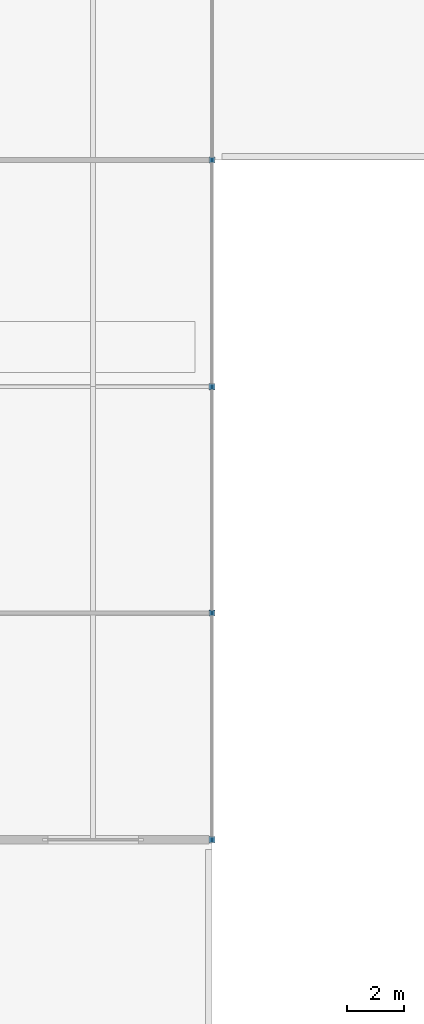
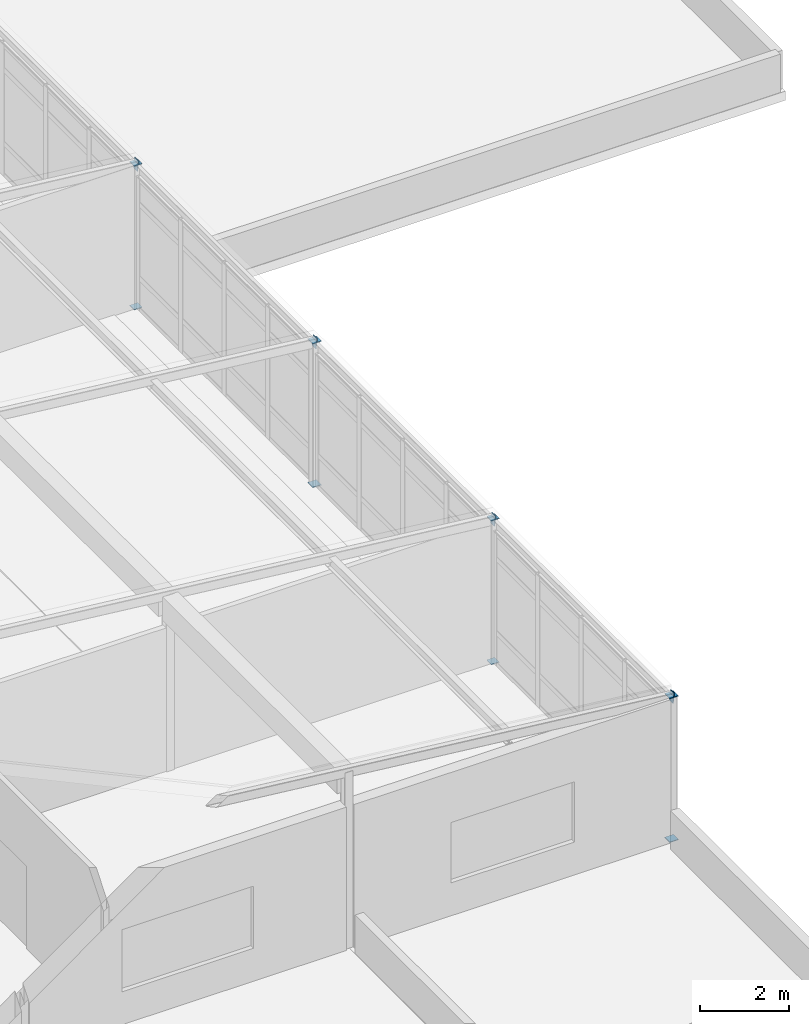
# One storey, part 22 of 25: 12 discrete accessories.
"""IFC4 building model written with IfcOpenShell, lengths in metres."""

from ifc_helpers import new_model, si_unit, direction, frame, origin, origin_2d, place, context, subcontext, project, spatial, rectangle, extrude, material, layer, layer_set, type_object, element, save


model = new_model("IFC4")

# Units and contexts
model_context = context("Model", 3, precision=1e-05, world=origin(), true_north=direction((0.0, 1.0)))
body_context = subcontext(model_context, "Body", "Model", "MODEL_VIEW")
ifc_project = project(units=[si_unit("LENGTHUNIT", "METRE"), si_unit("AREAUNIT", "SQUARE_METRE"), si_unit("VOLUMEUNIT", "CUBIC_METRE"), si_unit("PLANEANGLEUNIT", "RADIAN"), si_unit("MASSUNIT", "GRAM", prefix="KILO")], contexts=[model_context])

# Site, building, storey
site_placement = place(None, origin())
site = spatial("IfcSite", under=ifc_project, at=site_placement, CompositionType="ELEMENT")
building_placement = place(site_placement, origin())
building = spatial("IfcBuilding", under=site, at=building_placement, Name="Kranzveld Transit Interchange", CompositionType="ELEMENT")
storey_placement = place(building_placement, frame((0.0, 0.0, 21.0400390625)))
storey = spatial("IfcBuildingStorey", under=building, at=storey_placement, Name="L05", CompositionType="ELEMENT", Elevation=21.0400390625)

# Discrete accessories
ifc_material = material(Name="Steel S355JR", Category="steel")
ifc_layer = layer(ifc_material, 0.02001953125)
ifc_layer_set = layer_set([ifc_layer], Name="Steel S355JR")
discrete_accessory_type = type_object("IfcDiscreteAccessoryType", Name="Hollow Section End Cap Bracket 20 S355JR", PredefinedType="BRACKET", material=ifc_layer_set)
for number, where, z_axis, x_axis, name in (
    (1, (33.60009765625, 64.0, 0.00390625), (0.0, 0.0, -1.0), (1.0, 0.0, 0.0), "Hollow Section End Cap C-SHS200-1"),
    (2, (33.60009765625, 64.0, 3.916015625), (0.0, 0.0, 1.0), (1.0, 0.0, 0.0), "Hollow Section End Cap C-SHS200-2"),
):
    element("IfcDiscreteAccessory", number, at=place(storey_placement, frame(where, z_axis=z_axis, x_axis=x_axis)), inside=storey, type_object=discrete_accessory_type, Name=name, PredefinedType="BRACKET", context=body_context, shape_type="SweptSolid", body=[
        extrude(rectangle(XDim=0.22412109375, YDim=0.22412109375, at=origin_2d()), origin(), (0.0, 0.0, 1.0), 0.02001953125),
    ])
for number, where, z_axis, x_axis, name in (
    (3, (33.60009765625, 72.0, 0.00390625), (0.0, 0.0, -1.0), (1.0, 0.0, 0.0), "Hollow Section End Cap C-SHS180-1"),
    (4, (33.60009765625, 72.0, 3.916015625), (0.0, 0.0, 1.0), (1.0, 0.0, 0.0), "Hollow Section End Cap C-SHS180-2"),
):
    element("IfcDiscreteAccessory", number, at=place(storey_placement, frame(where, z_axis=z_axis, x_axis=x_axis)), inside=storey, type_object=discrete_accessory_type, Name=name, PredefinedType="BRACKET", context=body_context, shape_type="SweptSolid", body=[
        extrude(rectangle(XDim=0.2041015625, YDim=0.2041015625, at=origin_2d()), origin(), (0.0, 0.0, 1.0), 0.02001953125),
    ])
for number, where, z_axis, x_axis, name in (
    (5, (33.60009765625, 80.0, 0.00390625), (0.0, 0.0, -1.0), (1.0, 0.0, 0.0), "Hollow Section End Cap C-SHS200-1"),
    (6, (33.60009765625, 80.0, 3.916015625), (0.0, 0.0, 1.0), (1.0, 0.0, 0.0), "Hollow Section End Cap C-SHS200-2"),
):
    element("IfcDiscreteAccessory", number, at=place(storey_placement, frame(where, z_axis=z_axis, x_axis=x_axis)), inside=storey, type_object=discrete_accessory_type, Name=name, PredefinedType="BRACKET", context=body_context, shape_type="SweptSolid", body=[
        extrude(rectangle(XDim=0.22412109375, YDim=0.22412109375, at=origin_2d()), origin(), (0.0, 0.0, 1.0), 0.02001953125),
    ])
for number, where, z_axis, x_axis, name in (
    (7, (33.60009765625, 88.0, 0.00390625), (0.0, 0.0, -1.0), (1.0, 0.0, 0.0), "Hollow Section End Cap C-SHS180-1"),
    (8, (33.60009765625, 88.0, 3.916015625), (0.0, 0.0, 1.0), (1.0, 0.0, 0.0), "Hollow Section End Cap C-SHS180-2"),
):
    element("IfcDiscreteAccessory", number, at=place(storey_placement, frame(where, z_axis=z_axis, x_axis=x_axis)), inside=storey, type_object=discrete_accessory_type, Name=name, PredefinedType="BRACKET", context=body_context, shape_type="SweptSolid", body=[
        extrude(rectangle(XDim=0.2041015625, YDim=0.2041015625, at=origin_2d()), origin(), (0.0, 0.0, 1.0), 0.02001953125),
    ])
for number, where, z_axis, x_axis, name in (
    (9, (33.595947265625, 64.0, 3.88037109375), (0.994030677348, 0.0, -0.109100928002), (0.0, 1.0, 0.0), "Hollow Section End Cap CH-RHS250-2"),
    (10, (33.595947265625, 72.0, 3.88037109375), (0.994030677348, 0.0, -0.109100928002), (0.0, 1.0, 0.0), "Hollow Section End Cap CH-RHS250-2"),
    (11, (33.595947265625, 80.0, 3.88037109375), (0.994030677348, 0.0, -0.109100928002), (0.0, 1.0, 0.0), "Hollow Section End Cap CH-RHS250-2"),
    (12, (33.595947265625, 88.0, 3.88037109375), (0.994030677348, 0.0, -0.109100928002), (0.0, 1.0, 0.0), "Hollow Section End Cap CH-RHS250-2"),
):
    element("IfcDiscreteAccessory", number, at=place(storey_placement, frame(where, z_axis=z_axis, x_axis=x_axis)), inside=storey, type_object=discrete_accessory_type, Name=name, PredefinedType="BRACKET", context=body_context, shape_type="SweptSolid", body=[
        extrude(rectangle(XDim=0.174072265625, YDim=0.27392578125, at=origin_2d()), origin(), (0.0, 0.0, 1.0), 0.02001953125),
    ])

save(model, "model.ifc")
